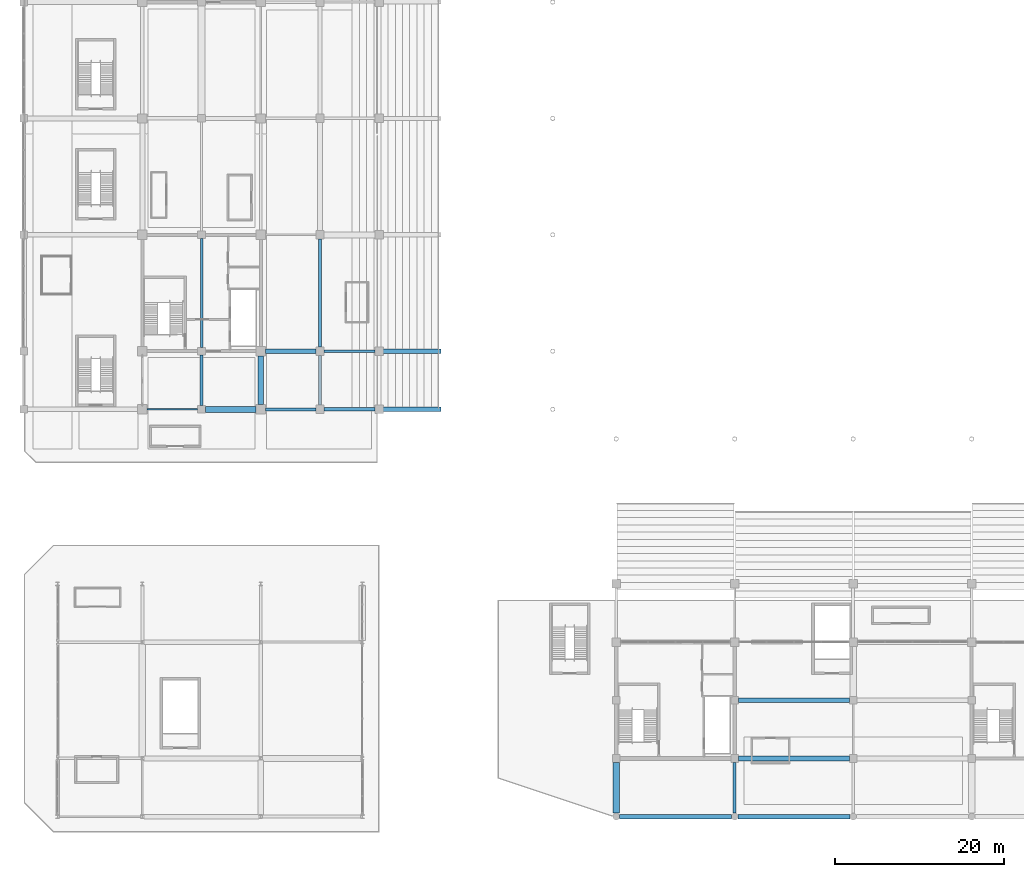
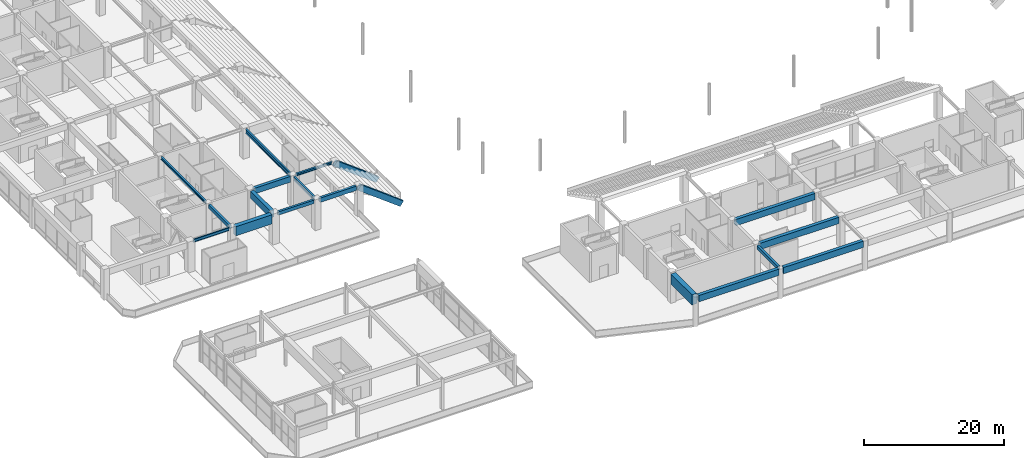
# One storey, part 32 of 117: 19 beams.
"""IFC4 building model written with IfcOpenShell, lengths in metres."""

from ifc_helpers import new_model, si_unit, direction, frame, origin, origin_2d, place, context, subcontext, project, spatial, rectangle, i_section, extrude, material, material_profile, profile_set, type_object, element, save


model = new_model("IFC4")

# Units and contexts
model_context = context("Model", 3, precision=1e-05, world=origin(), true_north=direction((0.0, 1.0)))
body_context = subcontext(model_context, "Body", "Model", "MODEL_VIEW")
ifc_project = project(units=[si_unit("LENGTHUNIT", "METRE"), si_unit("AREAUNIT", "SQUARE_METRE"), si_unit("VOLUMEUNIT", "CUBIC_METRE"), si_unit("PLANEANGLEUNIT", "RADIAN"), si_unit("MASSUNIT", "GRAM", prefix="KILO")], contexts=[model_context])

# Site, building, storey
site_placement = place(None, origin())
site = spatial("IfcSite", under=ifc_project, at=site_placement, CompositionType="ELEMENT")
building_placement = place(site_placement, origin())
building = spatial("IfcBuilding", under=site, at=building_placement, Name="Linyun Crest Stadium", CompositionType="ELEMENT")
storey_placement = place(building_placement, frame((0.0, 0.0, 6.0)))
storey = spatial("IfcBuildingStorey", under=building, at=storey_placement, Name="L02", CompositionType="ELEMENT", Elevation=6.0)

# Beams
ifc_material_1 = material(Name="Concrete C40", Category="concrete")
ifc_material_profile_1 = material_profile(ifc_material_1, rectangle(XDim=0.35009765625, YDim=0.60009765625, at=origin_2d()), Name="RCB 600x350")
ifc_profile_set_1 = profile_set([ifc_material_profile_1], Name="Concrete C40")
beam_type_1 = type_object("IfcBeamType", Name="B01", PredefinedType="BEAM", material=ifc_profile_set_1)
beam_1_placement = place(storey_placement, frame((-69.449951171875, -46.0, 4.89990234375), z_axis=(1.0, 0.0, 0.0), x_axis=(0.0, 1.0, 0.0)))
element("IfcBeam", 1, at=beam_1_placement, inside=storey, type_object=beam_type_1, Name="Frame beam B01 L02 172", PredefinedType="BEAM", context=body_context, shape_type="SweptSolid", body=[
    extrude(rectangle(XDim=0.35009765625, YDim=0.60009765625, at=origin_2d()), origin(), (0.0, 0.0, 1.0), 5.949951171875),
])
ifc_material_2 = material(Name="Concrete C40", Category="concrete")
ifc_material_profile_2 = material_profile(ifc_material_2, rectangle(XDim=0.35009765625, YDim=0.64990234375, at=origin_2d()), Name="RCB 650x350")
ifc_profile_set_2 = profile_set([ifc_material_profile_2], Name="Concrete C40")
beam_type_2 = type_object("IfcBeamType", Name="B02", PredefinedType="BEAM", material=ifc_profile_set_2)
beam_2_placement = place(storey_placement, frame((-77.0, -45.550048828125, 4.875), z_axis=(0.0, 1.0, 0.0), x_axis=(-1.0, 0.0, 0.0)))
element("IfcBeam", 2, at=beam_2_placement, inside=storey, type_object=beam_type_2, Name="Frame beam B02 L02 209", PredefinedType="BEAM", context=body_context, shape_type="SweptSolid", body=[
    extrude(rectangle(XDim=0.35009765625, YDim=0.64990234375, at=origin_2d()), origin(), (0.0, 0.0, 1.0), 5.97509765625),
])
beam_3_placement = place(storey_placement, frame((-14.0, -93.72509765625, 4.8349609375), z_axis=(0.0, 1.0, 0.0), x_axis=(-1.0, 0.0, 0.0)))
element("IfcBeam", 3, at=beam_3_placement, inside=storey, type_object=beam_type_2, Name="Frame beam B02 L02 913", PredefinedType="BEAM", context=body_context, shape_type="SweptSolid", body=[
    extrude(rectangle(XDim=0.35009765625, YDim=0.64990234375, at=origin_2d()), origin(), (0.0, 0.0, 1.0), 6.025146484375),
])
ifc_material_3 = material(Name="Concrete C40", Category="concrete")
ifc_material_profile_3 = material_profile(ifc_material_3, rectangle(XDim=0.39990234375, YDim=0.75, at=origin_2d()), Name="RCB 750x400")
ifc_profile_set_3 = profile_set([ifc_material_profile_3], Name="Concrete C40")
beam_type_3 = type_object("IfcBeamType", Name="B03", PredefinedType="BEAM", material=ifc_profile_set_3)
beam_4_placement = place(storey_placement, frame((-62.5, -46.0, 4.824951171875), z_axis=(1.0, 0.0, 0.0), x_axis=(0.0, 1.0, 0.0)))
element("IfcBeam", 4, at=beam_4_placement, inside=storey, type_object=beam_type_3, Name="Frame beam B03 L02 173", PredefinedType="BEAM", context=body_context, shape_type="SweptSolid", body=[
    extrude(rectangle(XDim=0.39990234375, YDim=0.75, at=origin_2d()), origin(), (0.0, 0.0, 1.0), 6.0),
])
ifc_material_4 = material(Name="Concrete C40", Category="concrete")
ifc_material_profile_4 = material_profile(ifc_material_4, rectangle(XDim=0.5, YDim=1.0, at=origin_2d()), Name="RCB 1000x500")
ifc_profile_set_4 = profile_set([ifc_material_profile_4], Name="Concrete C40")
beam_type_4 = type_object("IfcBeamType", Name="B05", PredefinedType="BEAM", material=ifc_profile_set_4)
beam_5_placement = place(storey_placement, frame((-69.449951171875, -39.125, 4.699951171875), z_axis=(1.0, 0.0, 0.0), x_axis=(0.0, 1.0, 0.0)))
element("IfcBeam", 5, at=beam_5_placement, inside=storey, type_object=beam_type_4, Name="Frame beam B05 L02 174", PredefinedType="BEAM", context=body_context, shape_type="SweptSolid", body=[
    extrude(rectangle(XDim=0.5, YDim=1.0, at=origin_2d()), origin(), (0.0, 0.0, 1.0), 5.949951171875),
])
ifc_material_5 = material(Name="Steel Q355C", Category="steel")
ifc_material_profile_5 = material_profile(ifc_material_5, i_section(OverallWidth=0.300048828125, OverallDepth=0.389892578125, WebThickness=0.010009765625, FlangeThickness=0.01611328125, at=origin_2d()), Name="HM 390x300")
ifc_profile_set_5 = profile_set([ifc_material_profile_5], Name="Steel Q355C")
beam_type_5 = type_object("IfcBeamType", Name="B06", PredefinedType="BEAM", material=ifc_profile_set_5)
beam_6_placement = place(storey_placement, frame((-62.5, -39.125, 5.0048828125), z_axis=(1.0, 0.0, 0.0), x_axis=(0.0, 1.0, 0.0)))
element("IfcBeam", 6, at=beam_6_placement, inside=storey, type_object=beam_type_5, Name="Frame beam B06 L02 175", PredefinedType="BEAM", context=body_context, shape_type="SweptSolid", body=[
    extrude(i_section(OverallWidth=0.300048828125, OverallDepth=0.389892578125, WebThickness=0.010009765625, FlangeThickness=0.01611328125, at=origin_2d()), origin(), (0.0, 0.0, 1.0), 6.0),
])
ifc_material_6 = material(Name="Steel Q355C", Category="steel")
ifc_material_profile_6 = material_profile(ifc_material_6, i_section(OverallWidth=0.300048828125, OverallDepth=0.43994140625, WebThickness=0.010986328125, FlangeThickness=0.01806640625, at=origin_2d()), Name="HM 440x300")
ifc_profile_set_6 = profile_set([ifc_material_profile_6], Name="Steel Q355C")
beam_type_6 = type_object("IfcBeamType", Name="B07", PredefinedType="BEAM", material=ifc_profile_set_6)
beam_7_placement = place(storey_placement, frame((-77.0, -38.675048828125, 4.97998046875), z_axis=(0.0, 1.0, 0.0), x_axis=(-1.0, 0.0, 0.0)))
element("IfcBeam", 7, at=beam_7_placement, inside=storey, type_object=beam_type_6, Name="Frame beam B07 L02 210", PredefinedType="BEAM", context=body_context, shape_type="SweptSolid", body=[
    extrude(i_section(OverallWidth=0.300048828125, OverallDepth=0.43994140625, WebThickness=0.010986328125, FlangeThickness=0.01806640625, at=origin_2d()), origin(), (0.0, 0.0, 1.0), 12.85009765625),
])
ifc_material_7 = material(Name="Steel Q355C", Category="steel")
ifc_material_profile_7 = material_profile(ifc_material_7, i_section(OverallWidth=0.300048828125, OverallDepth=0.587890625, WebThickness=0.011962890625, FlangeThickness=0.02001953125, at=origin_2d()), Name="HM 588x300")
ifc_profile_set_7 = profile_set([ifc_material_profile_7], Name="Steel Q355C")
beam_type_7 = type_object("IfcBeamType", Name="B09", PredefinedType="BEAM", material=ifc_profile_set_7)
beam_8_placement = place(storey_placement, frame((-63.0, -45.5, 4.906005859375), z_axis=(0.0, 1.0, 0.0), x_axis=(-1.0, 0.0, 0.0)))
element("IfcBeam", 8, at=beam_8_placement, inside=storey, type_object=beam_type_7, Name="Frame beam B09 L02 220", PredefinedType="BEAM", context=body_context, shape_type="SweptSolid", body=[
    extrude(i_section(OverallWidth=0.300048828125, OverallDepth=0.587890625, WebThickness=0.011962890625, FlangeThickness=0.02001953125, at=origin_2d()), origin(), (0.0, 0.0, 1.0), 5.875),
])
ifc_material_8 = material(Name="Steel Q355C", Category="steel")
ifc_material_profile_8 = material_profile(ifc_material_8, i_section(OverallWidth=0.199951171875, OverallDepth=0.5, WebThickness=0.010009765625, FlangeThickness=0.01611328125, at=origin_2d()), Name="HN 500x200")
ifc_profile_set_8 = profile_set([ifc_material_profile_8], Name="Steel Q355C")
beam_type_8 = type_object("IfcBeamType", Name="B10", PredefinedType="BEAM", material=ifc_profile_set_8)
beam_9_placement = place(storey_placement, frame((-83.449951171875, -46.0, 4.949951171875), z_axis=(1.0, 0.0, 0.0), x_axis=(0.0, 1.0, 0.0)))
element("IfcBeam", 9, at=beam_9_placement, inside=storey, type_object=beam_type_8, Name="Frame beam B10 L02 170", PredefinedType="BEAM", context=body_context, shape_type="SweptSolid", body=[
    extrude(i_section(OverallWidth=0.199951171875, OverallDepth=0.5, WebThickness=0.010009765625, FlangeThickness=0.01611328125, at=origin_2d()), origin(), (0.0, 0.0, 1.0), 6.0),
])
ifc_material_9 = material(Name="Steel Q355C", Category="steel")
ifc_material_profile_9 = material_profile(ifc_material_9, i_section(OverallWidth=0.300048828125, OverallDepth=0.699951171875, WebThickness=0.012939453125, FlangeThickness=0.02392578125, at=origin_2d()), Name="HN 700x300")
ifc_profile_set_9 = profile_set([ifc_material_profile_9], Name="Steel Q355C")
beam_type_9 = type_object("IfcBeamType", Name="B12", PredefinedType="BEAM", material=ifc_profile_set_9)
beam_10_placement = place(storey_placement, frame((-63.0, -38.625, 4.85009765625), z_axis=(0.0, 1.0, 0.0), x_axis=(-1.0, 0.0, 0.0)))
element("IfcBeam", 10, at=beam_10_placement, inside=storey, type_object=beam_type_9, Name="Frame beam B12 L02 221", PredefinedType="BEAM", context=body_context, shape_type="SweptSolid", body=[
    extrude(i_section(OverallWidth=0.300048828125, OverallDepth=0.699951171875, WebThickness=0.012939453125, FlangeThickness=0.02392578125, at=origin_2d()), origin(), (0.0, 0.0, 1.0), 12.75),
])
ifc_material_10 = material(Name="Concrete C50", Category="concrete")
ifc_material_profile_10 = material_profile(ifc_material_10, rectangle(XDim=0.699951171875, YDim=1.60009765625, at=origin_2d()), Name="RCB 1600x700")
ifc_profile_set_10 = profile_set([ifc_material_profile_10], Name="Concrete C50")
beam_type_10 = type_object("IfcBeamType", Name="B13", PredefinedType="BEAM", material=ifc_profile_set_10)
beam_11_placement = place(storey_placement, frame((-76.550048828125, -46.0, 4.39990234375), z_axis=(1.0, 0.0, 0.0), x_axis=(0.0, 1.0, 0.0)))
element("IfcBeam", 11, at=beam_11_placement, inside=storey, type_object=beam_type_10, Name="Frame beam B13 L02 171", PredefinedType="BEAM", context=body_context, shape_type="SweptSolid", body=[
    extrude(rectangle(XDim=0.699951171875, YDim=1.60009765625, at=origin_2d()), origin(), (0.0, 0.0, 1.0), 6.0),
])
ifc_material_11 = material(Name="Concrete C50", Category="concrete")
ifc_material_profile_11 = material_profile(ifc_material_11, rectangle(XDim=0.800048828125, YDim=1.800048828125, at=origin_2d()), Name="RCB 1800x800")
ifc_profile_set_11 = profile_set([ifc_material_profile_11], Name="Concrete C50")
beam_type_11 = type_object("IfcBeamType", Name="B14", PredefinedType="BEAM", material=ifc_profile_set_11)
beam_12_placement = place(storey_placement, frame((-28.0, -93.72509765625, 4.260009765625), z_axis=(0.0, 1.0, 0.0), x_axis=(-1.0, 0.0, 0.0)))
element("IfcBeam", 12, at=beam_12_placement, inside=storey, type_object=beam_type_11, Name="Frame beam B14 L02 911", PredefinedType="BEAM", context=body_context, shape_type="SweptSolid", body=[
    extrude(rectangle(XDim=0.800048828125, YDim=1.800048828125, at=origin_2d()), origin(), (0.0, 0.0, 1.0), 6.025146484375),
])
ifc_material_12 = material(Name="Precast concrete C50", Category="concrete")
ifc_material_profile_12 = material_profile(ifc_material_12, rectangle(XDim=0.5, YDim=0.949951171875, at=origin_2d()), Name="PCR 950x500")
ifc_profile_set_12 = profile_set([ifc_material_profile_12], Name="Precast concrete C50")
beam_type_12 = type_object("IfcBeamType", Name="RB01", PredefinedType="USERDEFINED", material=ifc_profile_set_12)
for number, where, z_axis, x_axis, name in (
    (13, (-49.0, -46.0, -0.47998046875), (-0.798353067066, 0.0, 0.602189654765), (0.0, -1.0, 0.0), "Precast raker beam RB01 V1 2"),
    (14, (-49.0, -39.125, -0.47998046875), (-0.798353067066, 0.0, 0.602189654765), (0.0, -1.0, 0.0), "Precast raker beam RB01 V1 10"),
):
    element("IfcBeam", number, at=place(storey_placement, frame(where, z_axis=z_axis, x_axis=x_axis)), inside=storey, type_object=beam_type_12, Name=name, ObjectType="RAKER", PredefinedType="USERDEFINED", context=body_context, shape_type="SweptSolid", body=[
        extrude(rectangle(XDim=0.5, YDim=0.949951171875, at=origin_2d()), origin(), (0.0, 0.0, 1.0), 8.76806640625),
    ])
ifc_material_13 = material(Name="Concrete C50", Category="concrete")
ifc_material_profile_13 = material_profile(ifc_material_13, rectangle(XDim=0.550048828125, YDim=1.10009765625, at=origin_2d()), Name="RCB 1100x550")
ifc_profile_set_13 = profile_set([ifc_material_profile_13], Name="Concrete C50")
beam_type_13 = type_object("IfcBeamType", Name="TB01", PredefinedType="USERDEFINED", material=ifc_profile_set_13)
for number, where, z_axis, x_axis, name in (
    (15, (-27.60009765625, -94.125, 4.610107421875), (1.0, 0.0, 0.0), (0.0, 1.0, 0.0), "Frame beam TB01 L02 902"),
    (16, (-13.60009765625, -94.125, 4.610107421875), (1.0, 0.0, 0.0), (0.0, 1.0, 0.0), "Frame beam TB01 L02 903"),
):
    element("IfcBeam", number, at=place(storey_placement, frame(where, z_axis=z_axis, x_axis=x_axis)), inside=storey, type_object=beam_type_13, Name=name, ObjectType="GIRDER", PredefinedType="USERDEFINED", context=body_context, shape_type="SweptSolid", body=[
        extrude(rectangle(XDim=0.550048828125, YDim=1.10009765625, at=origin_2d()), origin(), (0.0, 0.0, 1.0), 13.2001953125),
    ])
for number, where, z_axis, x_axis, name in (
    (17, (-13.550048828125, -87.25, 4.64990234375), (1.0, 0.0, 0.0), (0.0, 1.0, 0.0), "Frame beam TB01 L02 906"),
    (18, (-13.550048828125, -80.375, 4.64990234375), (1.0, 0.0, 0.0), (0.0, 1.0, 0.0), "Frame beam TB01 L02 908"),
):
    element("IfcBeam", number, at=place(storey_placement, frame(where, z_axis=z_axis, x_axis=x_axis)), inside=storey, type_object=beam_type_13, Name=name, ObjectType="GIRDER", PredefinedType="USERDEFINED", context=body_context, shape_type="SweptSolid", body=[
        extrude(rectangle(XDim=0.550048828125, YDim=1.10009765625, at=origin_2d()), origin(), (0.0, 0.0, 1.0), 13.10009765625),
    ])
ifc_material_14 = material(Name="Concrete C50", Category="concrete")
ifc_material_profile_14 = material_profile(ifc_material_14, rectangle(XDim=0.60009765625, YDim=1.199951171875, at=origin_2d()), Name="RCB 1200x600")
ifc_profile_set_14 = profile_set([ifc_material_profile_14], Name="Concrete C50")
beam_type_14 = type_object("IfcBeamType", Name="TB02", PredefinedType="USERDEFINED", material=ifc_profile_set_14)
beam_13_placement = place(storey_placement, frame((-70.0, -45.449951171875, 4.60009765625), z_axis=(0.0, 1.0, 0.0), x_axis=(-1.0, 0.0, 0.0)))
element("IfcBeam", 19, at=beam_13_placement, inside=storey, type_object=beam_type_14, Name="Frame beam TB02 L02 216", ObjectType="GIRDER", PredefinedType="USERDEFINED", context=body_context, shape_type="SweptSolid", body=[
    extrude(rectangle(XDim=0.60009765625, YDim=1.199951171875, at=origin_2d()), origin(), (0.0, 0.0, 1.0), 5.77490234375),
])

save(model, "model.ifc")
